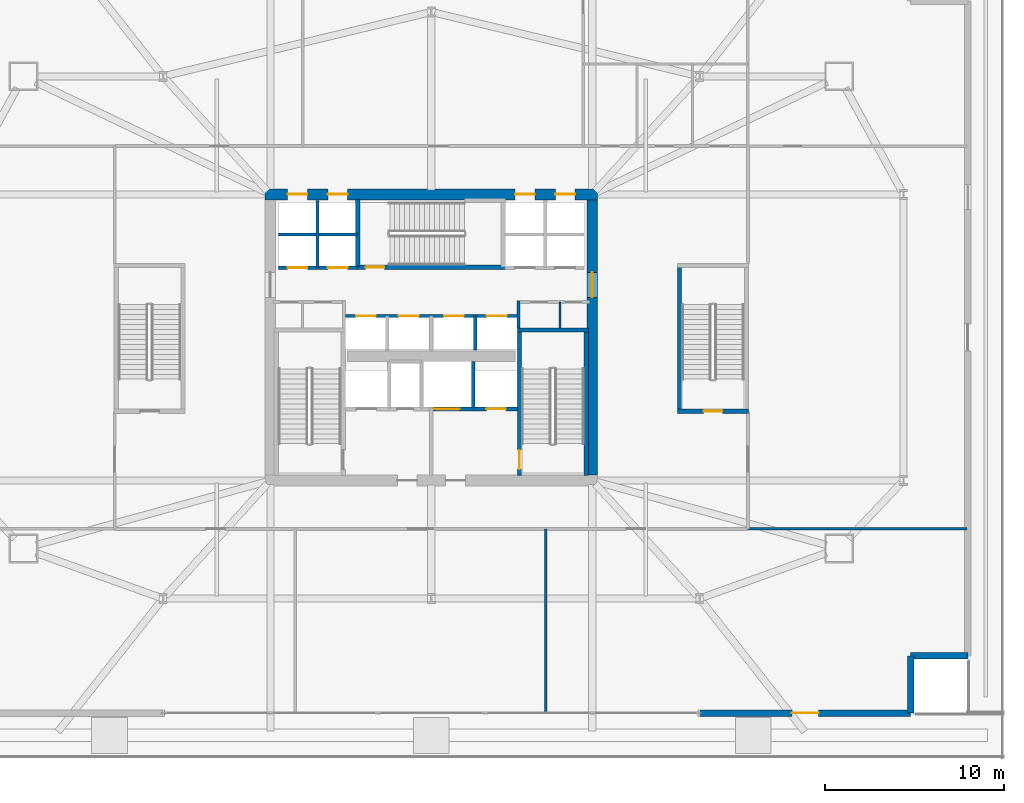
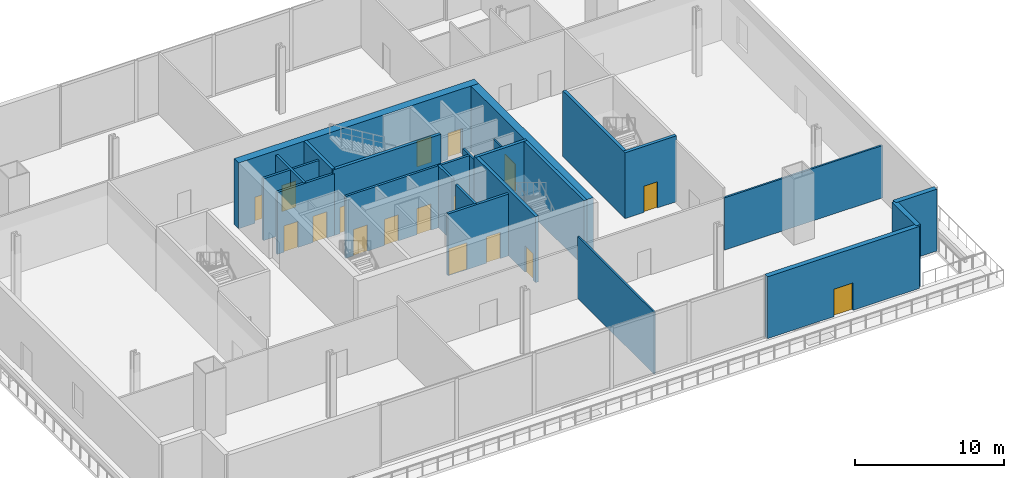
# One storey, part 11 of 20: 23 walls, 17 doors, 17 openings.
"""IFC4 building model written with IfcOpenShell, lengths in metres."""

import ifcopenshell
import ifcopenshell.guid

model = None  # the IFC model being written
_history = None  # IfcOwnerHistory: only IFC2X3 demands one
_inside = {}  # id of a spatial element -> (the spatial element, [elements in it])
_under = {}  # id of a project, library or spatial element -> (it, [spatial elements below it])
_declared = {}  # id of a project -> (the project, [libraries it declares])
_typed = {}  # id of a type object -> (the type object, [elements of that type])
_made_of = {}  # id of a material, layer set ... -> (it, [elements and type objects made of it])


def new_model(schema):
    """Start an empty IFC model of exactly this schema.

    Asked for "IFC4X3", IfcOpenShell would pick the latest addendum, in which some entities
    have other attributes; the version numbers below select the first issue.
    IFC2X3 requires an IfcOwnerHistory on every rooted entity: one is made here for all.
    """
    global model, _history
    if schema == "IFC4X3":
        model = ifcopenshell.file(schema_version=(4, 3, 0, 0))
    else:
        model = ifcopenshell.file(schema=schema)
    _inside.clear()
    _under.clear()
    _declared.clear()
    _typed.clear()
    _made_of.clear()
    _history = None
    if model.schema == "IFC2X3":
        org = make("IfcOrganization", Name="unknown")
        user = make(
            "IfcPersonAndOrganization",
            ThePerson=make("IfcPerson", FamilyName="unknown"),
            TheOrganization=org,
        )
        app = make(
            "IfcApplication",
            ApplicationDeveloper=org,
            Version="unknown",
            ApplicationFullName="unknown",
            ApplicationIdentifier="unknown",
        )
        _history = make(
            "IfcOwnerHistory",
            OwningUser=user,
            OwningApplication=app,
            ChangeAction="ADDED",
            CreationDate=0,
        )
    return model


def make(cls, **values):
    """One entity of the class cls with the attributes given. An attribute that is None is left unset."""
    return model.create_entity(
        cls, **{name: value for name, value in values.items() if value is not None}
    )


def rooted(cls, **values):
    """An entity with a GlobalId (a new one), such as an element, a storey or a relation."""
    return make(cls, GlobalId=ifcopenshell.guid.new(), OwnerHistory=_history, **values)


def si_unit(unit_type, name, prefix=None):
    """IfcSIUnit, for example si_unit("LENGTHUNIT", "METRE", prefix="MILLI")."""
    return make("IfcSIUnit", UnitType=unit_type, Prefix=prefix, Name=name)


def assignment(units):
    """IfcUnitAssignment: the units of a project."""
    return None if units is None else make("IfcUnitAssignment", Units=units)


def point(xyz):
    """IfcCartesianPoint."""
    return None if xyz is None else make("IfcCartesianPoint", Coordinates=xyz)


def direction(xyz):
    """IfcDirection."""
    return None if xyz is None else make("IfcDirection", DirectionRatios=xyz)


def frame(location, z_axis=None, x_axis=None):
    """IfcAxis2Placement3D, a coordinate frame: its origin and axes. An axis left out is left unset."""
    return make(
        "IfcAxis2Placement3D",
        Location=point(location),
        Axis=direction(z_axis),
        RefDirection=direction(x_axis),
    )


def frame_2d(location, x_axis=None):
    """IfcAxis2Placement2D, a coordinate frame in the plane: its origin and x axis."""
    return make(
        "IfcAxis2Placement2D", Location=point(location), RefDirection=direction(x_axis)
    )


def origin():
    """The frame at (0, 0, 0) with its axes left unset."""
    return frame((0.0, 0.0, 0.0))


def place(relative_to, where):
    """IfcLocalPlacement: puts the frame where relative to a parent placement (None: the world)."""
    return make(
        "IfcLocalPlacement", PlacementRelTo=relative_to, RelativePlacement=where
    )


def context(
    kind, dimensions, precision=None, world=None, true_north=None, identifier=None
):
    """IfcGeometricRepresentationContext, for example the 3D "Model" context."""
    return make(
        "IfcGeometricRepresentationContext",
        ContextIdentifier=identifier,
        ContextType=kind,
        CoordinateSpaceDimension=dimensions,
        Precision=precision,
        WorldCoordinateSystem=world,
        TrueNorth=true_north,
    )


def subcontext(parent, identifier, kind, view, scale=None):
    """IfcGeometricRepresentationSubContext, for example "Body" below "Model"."""
    return make(
        "IfcGeometricRepresentationSubContext",
        ContextIdentifier=identifier,
        ContextType=kind,
        ParentContext=parent,
        TargetScale=scale,
        TargetView=view,
    )


def project(units=None, contexts=None):
    """IfcProject with its units and contexts."""
    return rooted(
        "IfcProject",
        Name="project",
        RepresentationContexts=contexts,
        UnitsInContext=assignment(units),
    )


def spatial(cls, under=None, at=None, **own):
    """A site, building, storey or space (cls), placed at a placement, below another one or the project."""
    s = rooted(cls, ObjectPlacement=at, **own)
    if under is not None:
        _under.setdefault(under.id(), (under, []))[1].append(s)
    return s


def profile(cls, at=None, kind="AREA", **sizes):
    """A parametric profile (cls). Its sizes go by their IFC names, for example OverallWidth=200.0."""
    return make(cls, ProfileType=kind, Position=at, **sizes)


def rectangle(**sizes):
    """IfcRectangleProfileDef."""
    return profile("IfcRectangleProfileDef", **sizes)


def extrude(swept, where, along, depth):
    """IfcExtrudedAreaSolid: the profile swept, set in the frame where, extruded along a direction by depth."""
    return make(
        "IfcExtrudedAreaSolid",
        SweptArea=swept,
        Position=where,
        ExtrudedDirection=direction(along),
        Depth=depth,
    )


def shape(context_of_items, identifier, shape_type, items):
    """IfcShapeRepresentation: the items that make up one representation, for example the "Body"."""
    return make(
        "IfcShapeRepresentation",
        ContextOfItems=context_of_items,
        RepresentationIdentifier=identifier,
        RepresentationType=shape_type,
        Items=items,
    )


def material(Name=None, Category=None):
    """IfcMaterial."""
    return make("IfcMaterial", Name=Name, Category=Category)


def layer(
    of_material, thickness, ventilated=None, Name=None, Category=None, Priority=None
):
    """IfcMaterialLayer: one layer of a wall or slab, of a material (None: an air gap)."""
    return make(
        "IfcMaterialLayer",
        Material=of_material,
        LayerThickness=thickness,
        IsVentilated=ventilated,
        Name=Name,
        Category=Category,
        Priority=Priority,
    )


def layer_set(layers, Name=None):
    """IfcMaterialLayerSet."""
    return make("IfcMaterialLayerSet", MaterialLayers=layers, LayerSetName=Name)


def made_of(thing, what):
    """Note that an element or type object is made of a material, layer set ...; save() writes the relation."""
    if what is not None:
        _made_of.setdefault(what.id(), (what, []))[1].append(thing)
    return thing


def type_object(cls, material=None, **own):
    """A type object (cls), such as IfcWallType, which elements share."""
    return made_of(rooted(cls, **own), material)


def element(
    cls,
    number,
    at=None,
    inside=None,
    cuts=None,
    type_object=None,
    material=None,
    context=None,
    identifier="Body",
    shape_type=None,
    held_by="IfcProductDefinitionShape",
    body=None,
    shapes=None,
    **own,
):
    """One element of the class cls, such as IfcWall. Its Tag is "e" and its number.

    at: its placement. inside: the storey or other place that contains it. cuts: it is an
    opening in that element (IfcRelVoidsElement). A single representation is given by context,
    identifier, shape_type and body (its items); several are given by shapes. held_by: the class
    of the entity that holds the representations. save() writes the other relations.
    """
    e = rooted(cls, Tag="e%d" % number, ObjectPlacement=at, **own)
    if body is not None:
        shapes = [shape(context, identifier, shape_type, body)]
    if shapes is not None:
        e.Representation = make(held_by, Representations=shapes)
    if inside is not None:
        _inside.setdefault(inside.id(), (inside, []))[1].append(e)
    if cuts is not None:
        rooted(
            "IfcRelVoidsElement", RelatingBuildingElement=cuts, RelatedOpeningElement=e
        )
    if type_object is not None:
        _typed.setdefault(type_object.id(), (type_object, []))[1].append(e)
    return made_of(e, material)


def fill(opening, filler):
    """IfcRelFillsElement: the door or window that sits in an opening."""
    return rooted(
        "IfcRelFillsElement",
        RelatingOpeningElement=opening,
        RelatedBuildingElement=filler,
    )


def aggregate(whole, parts):
    """IfcRelAggregates: a whole, such as a stair, and the parts it consists of."""
    return rooted("IfcRelAggregates", RelatingObject=whole, RelatedObjects=parts)


def save(model, path):
    """Write the relations noted so far, then the file.

    IfcRelAggregates (storeys below a building ...), IfcRelContainedInSpatialStructure (elements
    in a storey), IfcRelDefinesByType, IfcRelAssociatesMaterial and IfcRelDeclares: one each for
    every whole, place, type object, material and project.
    """
    for whole, parts in _under.values():
        aggregate(whole, parts)
    for where, things in _inside.values():
        rooted(
            "IfcRelContainedInSpatialStructure",
            RelatedElements=things,
            RelatingStructure=where,
        )
    for kind, things in _typed.values():
        rooted("IfcRelDefinesByType", RelatedObjects=things, RelatingType=kind)
    for what, things in _made_of.values():
        rooted("IfcRelAssociatesMaterial", RelatedObjects=things, RelatingMaterial=what)
    for by, libraries in _declared.values():
        rooted("IfcRelDeclares", RelatingContext=by, RelatedDefinitions=libraries)
    model.write(path)


model = new_model("IFC4")

# Units and contexts
model_context = context("Model", 3, precision=1e-05, world=origin(), true_north=direction((0.0, 1.0)))
body_context = subcontext(model_context, "Body", "Model", "MODEL_VIEW")
ifc_project = project(units=[si_unit("LENGTHUNIT", "METRE"), si_unit("AREAUNIT", "SQUARE_METRE"), si_unit("VOLUMEUNIT", "CUBIC_METRE"), si_unit("PLANEANGLEUNIT", "RADIAN"), si_unit("MASSUNIT", "GRAM", prefix="KILO")], contexts=[model_context])

# Site, building, storey
site_placement = place(None, origin())
site = spatial("IfcSite", under=ifc_project, at=site_placement, CompositionType="ELEMENT")
building_placement = place(site_placement, origin())
building = spatial("IfcBuilding", under=site, at=building_placement, Name="Haldenkirk Collegiate Tower", CompositionType="ELEMENT")
storey_placement = place(building_placement, frame((0.0, 0.0, 6.0)))
storey = spatial("IfcBuildingStorey", under=building, at=storey_placement, Name="L01", CompositionType="ELEMENT", Elevation=6.0)

# Wall, openings, doors
ifc_material_1 = material(Name="Concrete f'c 70 MPa", Category="concrete")
ifc_layer_1 = layer(ifc_material_1, 0.60009765625)
ifc_layer_set_1 = layer_set([ifc_layer_1], Name="Concrete f'c 70 MPa")
wall_type_1 = type_object("IfcWallType", Name="WL-CORE-600", PredefinedType="SHEAR", material=ifc_layer_set_1)
wall_1_placement = place(storey_placement, frame((26.699951171875, 34.0, 0.0), z_axis=(0.0, 0.0, 1.0), x_axis=(1.0, 0.0, 0.0)))
wall_1 = element("IfcWall", 1, at=wall_1_placement, inside=storey, type_object=wall_type_1, Name="L01 central core shear wall N", PredefinedType="SHEAR", context=body_context, shape_type="SweptSolid", body=[
    extrude(rectangle(XDim=18.60009765625, YDim=0.60009765625, at=frame_2d((9.300048828125, 0.0))), origin(), (0.0, 0.0, 1.0), 5.39990234375),
])
opening_1_placement = place(wall_1_placement, frame((1.264892578125, 0.0, 0.0)))
opening_1 = element("IfcOpeningElement", 2, at=opening_1_placement, cuts=wall_1, Name="Opening LD-11", PredefinedType="OPENING", context=body_context, shape_type="SweptSolid", body=[
    extrude(rectangle(XDim=1.10009765625, YDim=2.14990234375, at=frame_2d((0.550048828125, 1.074951171875))), frame((0.0, 0.31005859375, 0.0), z_axis=(0.0, -1.0, 0.0), x_axis=(1.0, 0.0, 0.0)), (0.0, 0.0, 1.0), 0.6201171875),
])
opening_2_placement = place(wall_1_placement, frame((3.514892578125, 0.0, 0.0)))
opening_2 = element("IfcOpeningElement", 3, at=opening_2_placement, cuts=wall_1, Name="Opening LD-11", PredefinedType="OPENING", context=body_context, shape_type="SweptSolid", body=[
    extrude(rectangle(XDim=1.10009765625, YDim=2.14990234375, at=frame_2d((0.550048828125, 1.074951171875))), frame((0.0, 0.31005859375, 0.0), z_axis=(0.0, -1.0, 0.0), x_axis=(1.0, 0.0, 0.0)), (0.0, 0.0, 1.0), 0.6201171875),
])
opening_3_placement = place(wall_1_placement, frame((13.985107421875, 0.0, 0.0)))
opening_3 = element("IfcOpeningElement", 4, at=opening_3_placement, cuts=wall_1, Name="Opening LD-11", PredefinedType="OPENING", context=body_context, shape_type="SweptSolid", body=[
    extrude(rectangle(XDim=1.10009765625, YDim=2.14990234375, at=frame_2d((0.550048828125, 1.074951171875))), frame((0.0, 0.31005859375, 0.0), z_axis=(0.0, -1.0, 0.0), x_axis=(1.0, 0.0, 0.0)), (0.0, 0.0, 1.0), 0.6201171875),
])
opening_4_placement = place(wall_1_placement, frame((16.235107421875, 0.0, 0.0)))
opening_4 = element("IfcOpeningElement", 5, at=opening_4_placement, cuts=wall_1, Name="Opening LD-11", PredefinedType="OPENING", context=body_context, shape_type="SweptSolid", body=[
    extrude(rectangle(XDim=1.10009765625, YDim=2.14990234375, at=frame_2d((0.550048828125, 1.074951171875))), frame((0.0, 0.31005859375, 0.0), z_axis=(0.0, -1.0, 0.0), x_axis=(1.0, 0.0, 0.0)), (0.0, 0.0, 1.0), 0.6201171875),
])
ifc_material_2 = material(Name="Brushed architectural stainless steel", Category="steel")
ifc_layer_2 = layer(ifc_material_2, 0.06005859375)
ifc_layer_set_2 = layer_set([ifc_layer_2], Name="Brushed architectural stainless steel")
door_type_1 = type_object("IfcDoorType", Name="LD-PASS-1100", OperationType="NOTDEFINED", PredefinedType="DOOR", material=ifc_layer_set_2)
door_1_placement = place(opening_1_placement, origin())
door_1 = element("IfcDoor", 6, at=door_1_placement, inside=storey, type_object=door_type_1, Name="L01 Elevator PL3 sliding landing door", OperationType="SLIDING_TO_LEFT", OverallHeight=2.14990234375, OverallWidth=1.10009765625, PredefinedType="DOOR", context=body_context, shape_type="SweptSolid", body=[
    extrude(rectangle(XDim=1.10009765625, YDim=2.14990234375, at=frame_2d((0.550048828125, 1.074951171875))), frame((0.0, 0.02490234375, 0.0), z_axis=(0.0, -1.0, 0.0), x_axis=(1.0, 0.0, 0.0)), (0.0, 0.0, 1.0), 0.050048828125),
])
fill(opening_1, door_1)
door_2_placement = place(opening_2_placement, origin())
door_2 = element("IfcDoor", 7, at=door_2_placement, inside=storey, type_object=door_type_1, Name="L01 Elevator PL4 sliding landing door", OperationType="SLIDING_TO_LEFT", OverallHeight=2.14990234375, OverallWidth=1.10009765625, PredefinedType="DOOR", context=body_context, shape_type="SweptSolid", body=[
    extrude(rectangle(XDim=1.10009765625, YDim=2.14990234375, at=frame_2d((0.550048828125, 1.074951171875))), frame((0.0, 0.02490234375, 0.0), z_axis=(0.0, -1.0, 0.0), x_axis=(1.0, 0.0, 0.0)), (0.0, 0.0, 1.0), 0.050048828125),
])
fill(opening_2, door_2)
door_3_placement = place(opening_3_placement, origin())
door_3 = element("IfcDoor", 8, at=door_3_placement, inside=storey, type_object=door_type_1, Name="L01 Elevator PM3 sliding landing door", OperationType="SLIDING_TO_LEFT", OverallHeight=2.14990234375, OverallWidth=1.10009765625, PredefinedType="DOOR", context=body_context, shape_type="SweptSolid", body=[
    extrude(rectangle(XDim=1.10009765625, YDim=2.14990234375, at=frame_2d((0.550048828125, 1.074951171875))), frame((0.0, 0.02490234375, 0.0), z_axis=(0.0, -1.0, 0.0), x_axis=(1.0, 0.0, 0.0)), (0.0, 0.0, 1.0), 0.050048828125),
])
fill(opening_3, door_3)
door_4_placement = place(opening_4_placement, origin())
door_4 = element("IfcDoor", 9, at=door_4_placement, inside=storey, type_object=door_type_1, Name="L01 Elevator PM4 sliding landing door", OperationType="SLIDING_TO_LEFT", OverallHeight=2.14990234375, OverallWidth=1.10009765625, PredefinedType="DOOR", context=body_context, shape_type="SweptSolid", body=[
    extrude(rectangle(XDim=1.10009765625, YDim=2.14990234375, at=frame_2d((0.550048828125, 1.074951171875))), frame((0.0, 0.02490234375, 0.0), z_axis=(0.0, -1.0, 0.0), x_axis=(1.0, 0.0, 0.0)), (0.0, 0.0, 1.0), 0.050048828125),
])
fill(opening_4, door_4)

# Wall, opening, door
wall_2_placement = place(storey_placement, frame((45.0, 18.300048828125, 0.0), z_axis=(0.0, 0.0, 1.0), x_axis=(0.0, 1.0, 0.0)))
wall_2 = element("IfcWall", 10, at=wall_2_placement, inside=storey, type_object=wall_type_1, Name="L01 central core shear wall E", PredefinedType="SHEAR", context=body_context, shape_type="SweptSolid", body=[
    extrude(rectangle(XDim=15.39990234375, YDim=0.60009765625, at=frame_2d((7.699951171875, 0.0))), origin(), (0.0, 0.0, 1.0), 5.39990234375),
])
opening_5_placement = place(wall_2_placement, frame((9.93994140625, 0.0, 0.0)))
opening_5 = element("IfcOpeningElement", 11, at=opening_5_placement, cuts=wall_2, Name="Opening D-03", PredefinedType="OPENING", context=body_context, shape_type="SweptSolid", body=[
    extrude(rectangle(XDim=1.39990234375, YDim=2.199951171875, at=frame_2d((0.699951171875, 1.10009765625))), frame((0.0, 0.31005859375, 0.0), z_axis=(0.0, -1.0, 0.0), x_axis=(1.0, 0.0, 0.0)), (0.0, 0.0, 1.0), 0.6201171875),
])
ifc_material_3 = material(Name="Galvanized fire-rated hollow steel door", Category="steel")
ifc_layer_3 = layer(ifc_material_3, 0.06005859375)
ifc_layer_set_3 = layer_set([ifc_layer_3], Name="Galvanized fire-rated hollow steel door")
door_type_2 = type_object("IfcDoorType", Name="DR-LOBBY-FD90-1400", OperationType="NOTDEFINED", PredefinedType="DOOR", material=ifc_layer_set_3)
door_5_placement = place(opening_5_placement, origin())
door_5 = element("IfcDoor", 12, at=door_5_placement, inside=storey, type_object=door_type_2, Name="L01 east lift lobby portal", OperationType="DOUBLE_DOOR_SINGLE_SWING", OverallHeight=2.199951171875, OverallWidth=1.39990234375, PredefinedType="DOOR", context=body_context, shape_type="SweptSolid", body=[
    extrude(rectangle(XDim=1.39990234375, YDim=2.199951171875, at=frame_2d((0.699951171875, 1.10009765625))), frame((0.0, 0.02490234375, 0.0), z_axis=(0.0, -1.0, 0.0), x_axis=(1.0, 0.0, 0.0)), (0.0, 0.0, 1.0), 0.050048828125),
])
fill(opening_5, door_5)

ifc_material_4 = material(Name="Precast concrete f'c 40 MPa", Category="concrete")
ifc_layer_4 = layer(ifc_material_4, 0.360107421875)
ifc_layer_set_4 = layer_set([ifc_layer_4], Name="Precast concrete f'c 40 MPa")
wall_type_2 = type_object("IfcWallType", Name="WL-EXT-POD-360", PredefinedType="STANDARD", material=ifc_layer_set_4)
wall_3_placement = place(storey_placement, frame((62.800048828125, 5.0, 0.0), z_axis=(0.0, 0.0, 1.0), x_axis=(-1.0, 0.0, 0.0)))
wall_3 = element("IfcWall", 13, at=wall_3_placement, inside=storey, type_object=wall_type_2, Name="L01 podium precast frame pier 1L", PredefinedType="STANDARD", context=body_context, shape_type="SweptSolid", body=[
    extrude(rectangle(XDim=11.7919921875, YDim=0.360107421875, at=frame_2d((5.89599609375, 0.0))), origin(), (0.0, 0.0, 1.0), 5.070068359375),
])
opening_6_placement = place(wall_3_placement, frame((5.14599609375, 0.0, 0.0)))
opening_6 = element("IfcOpeningElement", 14, at=opening_6_placement, cuts=wall_3, Name="Opening D-PT15", PredefinedType="OPENING", context=body_context, shape_type="SweptSolid", body=[
    extrude(rectangle(XDim=1.5, YDim=2.25, at=frame_2d((0.75, 1.125))), frame((0.0, 0.18994140625, 0.0), z_axis=(0.0, -1.0, 0.0), x_axis=(1.0, 0.0, 0.0)), (0.0, 0.0, 1.0), 0.380126953125),
])
ifc_material_5 = material(Name="Anodised architectural bronze aluminium", Category="aluminium")
ifc_layer_5 = layer(ifc_material_5, 0.080078125)
ifc_layer_set_5 = layer_set([ifc_layer_5], Name="Anodised architectural bronze aluminium")
door_type_3 = type_object("IfcDoorType", Name="DR-EXT-PTER-1500", OperationType="NOTDEFINED", PredefinedType="DOOR", material=ifc_layer_set_5)
door_6_placement = place(opening_6_placement, origin())
door_6 = element("IfcDoor", 15, at=door_6_placement, inside=storey, type_object=door_type_3, Name="L01 south cascade terrace door", OperationType="DOUBLE_DOOR_SINGLE_SWING", OverallHeight=2.25, OverallWidth=1.5, PredefinedType="DOOR", context=body_context, shape_type="SweptSolid", body=[
    extrude(rectangle(XDim=1.5, YDim=2.25, at=frame_2d((0.75, 1.125))), frame((0.0, 0.02490234375, 0.0), z_axis=(0.0, -1.0, 0.0), x_axis=(1.0, 0.0, 0.0)), (0.0, 0.0, 1.0), 0.050048828125),
])
fill(opening_6, door_6)

# Walls
for number, where, z_axis, x_axis, name in (
    (16, (62.800048828125, 8.199951171875, 0.0), (0.0, 0.0, 1.0), (0.0, -1.0, 0.0), "L01 podium bronze precast wall 02"),
    (17, (66.0, 8.199951171875, 0.0), (0.0, 0.0, 1.0), (-1.0, 0.0, 0.0), "L01 podium bronze precast wall 03"),
):
    element("IfcWall", number, at=place(storey_placement, frame(where, z_axis=z_axis, x_axis=x_axis)), inside=storey, type_object=wall_type_2, Name=name, PredefinedType="STANDARD", context=body_context, shape_type="SweptSolid", body=[
        extrude(rectangle(XDim=3.199951171875, YDim=0.360107421875, at=frame_2d((1.60009765625, 0.0))), origin(), (0.0, 0.0, 1.0), 5.070068359375),
    ])
ifc_material_6 = material(Name="Acoustic fire-rated gypsum partition", Category="concrete")
ifc_layer_6 = layer(ifc_material_6, 0.159912109375)
ifc_layer_set_6 = layer_set([ifc_layer_6], Name="Acoustic fire-rated gypsum partition")
wall_type_3 = type_object("IfcWallType", Name="WL-INT-CORR-160", PredefinedType="PARTITIONING", material=ifc_layer_set_6)
wall_4_placement = place(storey_placement, frame((40.8798828125, 26.5400390625, 0.0), z_axis=(0.0, 0.0, 1.0), x_axis=(0.0, 1.0, 0.0)))
element("IfcWall", 18, at=wall_4_placement, inside=storey, type_object=wall_type_3, Name="L01 interior partition IW-L01-VCSE-W", PredefinedType="PARTITIONING", context=body_context, shape_type="SweptSolid", body=[
    extrude(rectangle(XDim=1.510009765625, YDim=0.159912109375, at=frame_2d((0.7548828125, 0.0))), origin(), (0.0, 0.0, 1.0), 5.070068359375),
])
ifc_layer_7 = layer(ifc_material_6, 0.139892578125)
ifc_layer_set_7 = layer_set([ifc_layer_7], Name="Acoustic fire-rated gypsum partition")
wall_type_4 = type_object("IfcWallType", Name="WL-INT-DIV-140", PredefinedType="PARTITIONING", material=ifc_layer_set_7)
wall_5_placement = place(storey_placement, frame((53.699951171875, 15.300048828125, 0.0), z_axis=(0.0, 0.0, 1.0), x_axis=(1.0, 0.0, 0.0)))
element("IfcWall", 19, at=wall_5_placement, inside=storey, type_object=wall_type_4, Name="L01 interior partition IW-L01-ECS1", PredefinedType="PARTITIONING", context=body_context, shape_type="SweptSolid", body=[
    extrude(rectangle(XDim=12.260009765625, YDim=0.139892578125, at=frame_2d((6.1298828125, 0.0))), origin(), (0.0, 0.0, 1.0), 4.2919921875),
])
wall_6_placement = place(storey_placement, frame((42.39990234375, 5.0400390625, 0.0), z_axis=(0.0, 0.0, 1.0), x_axis=(0.0, 1.0, 0.0)))
element("IfcWall", 20, at=wall_6_placement, inside=storey, type_object=wall_type_4, Name="L01 interior partition IW-L01-SD2", PredefinedType="PARTITIONING", context=body_context, shape_type="SweptSolid", body=[
    extrude(rectangle(XDim=10.260009765625, YDim=0.139892578125, at=frame_2d((5.1298828125, 0.0))), origin(), (0.0, 0.0, 1.0), 5.070068359375),
])
ifc_material_7 = material(Name="Fire-rated gypsum shaftboard assembly", Category="concrete")
ifc_layer_8 = layer(ifc_material_7, 0.179931640625)
ifc_layer_set_8 = layer_set([ifc_layer_8], Name="Fire-rated gypsum shaftboard assembly")
wall_type_5 = type_object("IfcWallType", Name="WL-INT-SHAFT-180", PredefinedType="PARTITIONING", material=ifc_layer_set_8)
wall_7_placement = place(storey_placement, frame((38.35009765625, 22.050048828125, 0.0), z_axis=(0.0, 0.0, 1.0), x_axis=(0.0, 1.0, 0.0)))
element("IfcWall", 21, at=wall_7_placement, inside=storey, type_object=wall_type_5, Name="L01 interior partition IW-L01-GL1E", PredefinedType="PARTITIONING", context=body_context, shape_type="SweptSolid", body=[
    extrude(rectangle(XDim=2.599853515625, YDim=0.179931640625, at=frame_2d((1.2998046875, 0.0))), origin(), (0.0, 0.0, 1.0), 5.070068359375),
])

# Wall, openings, doors
wall_8_placement = place(storey_placement, frame((27.449951171875, 29.89990234375, 0.0), z_axis=(0.0, 0.0, 1.0), x_axis=(1.0, 0.0, 0.0)))
wall_8 = element("IfcWall", 22, at=wall_8_placement, inside=storey, type_object=wall_type_5, Name="L01 interior partition IW-L01-PLS", PredefinedType="PARTITIONING", context=body_context, shape_type="SweptSolid", body=[
    extrude(rectangle(XDim=4.429931640625, YDim=0.179931640625, at=frame_2d((2.21484375, 0.0))), origin(), (0.0, 0.0, 1.0), 5.070068359375),
])
opening_7_placement = place(wall_8_placement, frame((0.514892578125, 0.0, 0.0)))
opening_7 = element("IfcOpeningElement", 23, at=opening_7_placement, cuts=wall_8, Name="Opening LD-11", PredefinedType="OPENING", context=body_context, shape_type="SweptSolid", body=[
    extrude(rectangle(XDim=1.10009765625, YDim=2.14990234375, at=frame_2d((0.550048828125, 1.074951171875))), frame((0.0, 0.099853515625, 0.0), z_axis=(0.0, -1.0, 0.0), x_axis=(1.0, 0.0, 0.0)), (0.0, 0.0, 1.0), 0.199951171875),
])
opening_8_placement = place(wall_8_placement, frame((2.764892578125, 0.0, 0.0)))
opening_8 = element("IfcOpeningElement", 24, at=opening_8_placement, cuts=wall_8, Name="Opening LD-11", PredefinedType="OPENING", context=body_context, shape_type="SweptSolid", body=[
    extrude(rectangle(XDim=1.10009765625, YDim=2.14990234375, at=frame_2d((0.550048828125, 1.074951171875))), frame((0.0, 0.099853515625, 0.0), z_axis=(0.0, -1.0, 0.0), x_axis=(1.0, 0.0, 0.0)), (0.0, 0.0, 1.0), 0.199951171875),
])
door_7_placement = place(opening_7_placement, origin())
door_7 = element("IfcDoor", 25, at=door_7_placement, inside=storey, type_object=door_type_1, Name="L01 Elevator PL1 sliding landing door", OperationType="SLIDING_TO_LEFT", OverallHeight=2.14990234375, OverallWidth=1.10009765625, PredefinedType="DOOR", context=body_context, shape_type="SweptSolid", body=[
    extrude(rectangle(XDim=1.10009765625, YDim=2.14990234375, at=frame_2d((0.550048828125, 1.074951171875))), frame((0.0, 0.02490234375, 0.0), z_axis=(0.0, -1.0, 0.0), x_axis=(1.0, 0.0, 0.0)), (0.0, 0.0, 1.0), 0.050048828125),
])
fill(opening_7, door_7)
door_8_placement = place(opening_8_placement, origin())
door_8 = element("IfcDoor", 26, at=door_8_placement, inside=storey, type_object=door_type_1, Name="L01 Elevator PL2 sliding landing door", OperationType="SLIDING_TO_LEFT", OverallHeight=2.14990234375, OverallWidth=1.10009765625, PredefinedType="DOOR", context=body_context, shape_type="SweptSolid", body=[
    extrude(rectangle(XDim=1.10009765625, YDim=2.14990234375, at=frame_2d((0.550048828125, 1.074951171875))), frame((0.0, 0.02490234375, 0.0), z_axis=(0.0, -1.0, 0.0), x_axis=(1.0, 0.0, 0.0)), (0.0, 0.0, 1.0), 0.050048828125),
])
fill(opening_8, door_8)

# Walls
wall_9_placement = place(storey_placement, frame((27.449951171875, 31.75, 0.0), z_axis=(0.0, 0.0, 1.0), x_axis=(1.0, 0.0, 0.0)))
element("IfcWall", 27, at=wall_9_placement, inside=storey, type_object=wall_type_5, Name="L01 interior partition IW-L01-PLM", PredefinedType="PARTITIONING", context=body_context, shape_type="SweptSolid", body=[
    extrude(rectangle(XDim=4.429931640625, YDim=0.179931640625, at=frame_2d((2.21484375, 0.0))), origin(), (0.0, 0.0, 1.0), 5.070068359375),
])
wall_10_placement = place(storey_placement, frame((29.6298828125, 29.89990234375, 0.0), z_axis=(0.0, 0.0, 1.0), x_axis=(0.0, 1.0, 0.0)))
element("IfcWall", 28, at=wall_10_placement, inside=storey, type_object=wall_type_5, Name="L01 interior partition IW-L01-PLV", PredefinedType="PARTITIONING", context=body_context, shape_type="SweptSolid", body=[
    extrude(rectangle(XDim=3.75, YDim=0.179931640625, at=frame_2d((1.875, 0.0))), origin(), (0.0, 0.0, 1.0), 5.070068359375),
])

# Wall, openings, doors
wall_11_placement = place(storey_placement, frame((31.199951171875, 27.199951171875, 0.0), z_axis=(0.0, 0.0, 1.0), x_axis=(1.0, 0.0, 0.0)))
wall_11 = element("IfcWall", 29, at=wall_11_placement, inside=storey, type_object=wall_type_5, Name="L01 interior partition IW-L01-PHN", PredefinedType="PARTITIONING", context=body_context, shape_type="SweptSolid", body=[
    extrude(rectangle(XDim=9.60009765625, YDim=0.179931640625, at=frame_2d((4.800048828125, 0.0))), origin(), (0.0, 0.0, 1.0), 5.070068359375),
])
opening_9_placement = place(wall_11_placement, frame((0.590087890625, 0.0, 0.0)))
opening_9 = element("IfcOpeningElement", 30, at=opening_9_placement, cuts=wall_11, Name="Opening LD-11", PredefinedType="OPENING", context=body_context, shape_type="SweptSolid", body=[
    extrude(rectangle(XDim=1.10009765625, YDim=2.14990234375, at=frame_2d((0.550048828125, 1.074951171875))), frame((0.0, 0.099853515625, 0.0), z_axis=(0.0, -1.0, 0.0), x_axis=(1.0, 0.0, 0.0)), (0.0, 0.0, 1.0), 0.199951171875),
])
opening_10_placement = place(wall_11_placement, frame((2.989990234375, 0.0, 0.0)))
opening_10 = element("IfcOpeningElement", 31, at=opening_10_placement, cuts=wall_11, Name="Opening LD-11", PredefinedType="OPENING", context=body_context, shape_type="SweptSolid", body=[
    extrude(rectangle(XDim=1.10009765625, YDim=2.14990234375, at=frame_2d((0.550048828125, 1.074951171875))), frame((0.0, 0.099853515625, 0.0), z_axis=(0.0, -1.0, 0.0), x_axis=(1.0, 0.0, 0.0)), (0.0, 0.0, 1.0), 0.199951171875),
])
opening_11_placement = place(wall_11_placement, frame((5.510009765625, 0.0, 0.0)))
opening_11 = element("IfcOpeningElement", 32, at=opening_11_placement, cuts=wall_11, Name="Opening LD-11", PredefinedType="OPENING", context=body_context, shape_type="SweptSolid", body=[
    extrude(rectangle(XDim=1.10009765625, YDim=2.14990234375, at=frame_2d((0.550048828125, 1.074951171875))), frame((0.0, 0.099853515625, 0.0), z_axis=(0.0, -1.0, 0.0), x_axis=(1.0, 0.0, 0.0)), (0.0, 0.0, 1.0), 0.199951171875),
])
opening_12_placement = place(wall_11_placement, frame((7.909912109375, 0.0, 0.0)))
opening_12 = element("IfcOpeningElement", 33, at=opening_12_placement, cuts=wall_11, Name="Opening LD-11", PredefinedType="OPENING", context=body_context, shape_type="SweptSolid", body=[
    extrude(rectangle(XDim=1.10009765625, YDim=2.14990234375, at=frame_2d((0.550048828125, 1.074951171875))), frame((0.0, 0.099853515625, 0.0), z_axis=(0.0, -1.0, 0.0), x_axis=(1.0, 0.0, 0.0)), (0.0, 0.0, 1.0), 0.199951171875),
])
door_9_placement = place(opening_9_placement, origin())
door_9 = element("IfcDoor", 34, at=door_9_placement, inside=storey, type_object=door_type_1, Name="L01 Elevator PH1 sliding landing door", OperationType="SLIDING_TO_LEFT", OverallHeight=2.14990234375, OverallWidth=1.10009765625, PredefinedType="DOOR", context=body_context, shape_type="SweptSolid", body=[
    extrude(rectangle(XDim=1.10009765625, YDim=2.14990234375, at=frame_2d((0.550048828125, 1.074951171875))), frame((0.0, 0.02490234375, 0.0), z_axis=(0.0, -1.0, 0.0), x_axis=(1.0, 0.0, 0.0)), (0.0, 0.0, 1.0), 0.050048828125),
])
fill(opening_9, door_9)
door_10_placement = place(opening_10_placement, origin())
door_10 = element("IfcDoor", 35, at=door_10_placement, inside=storey, type_object=door_type_1, Name="L01 Elevator PH2 sliding landing door", OperationType="SLIDING_TO_LEFT", OverallHeight=2.14990234375, OverallWidth=1.10009765625, PredefinedType="DOOR", context=body_context, shape_type="SweptSolid", body=[
    extrude(rectangle(XDim=1.10009765625, YDim=2.14990234375, at=frame_2d((0.550048828125, 1.074951171875))), frame((0.0, 0.02490234375, 0.0), z_axis=(0.0, -1.0, 0.0), x_axis=(1.0, 0.0, 0.0)), (0.0, 0.0, 1.0), 0.050048828125),
])
fill(opening_10, door_10)
door_11_placement = place(opening_11_placement, origin())
door_11 = element("IfcDoor", 36, at=door_11_placement, inside=storey, type_object=door_type_1, Name="L01 Elevator PH3 sliding landing door", OperationType="SLIDING_TO_LEFT", OverallHeight=2.14990234375, OverallWidth=1.10009765625, PredefinedType="DOOR", context=body_context, shape_type="SweptSolid", body=[
    extrude(rectangle(XDim=1.10009765625, YDim=2.14990234375, at=frame_2d((0.550048828125, 1.074951171875))), frame((0.0, 0.02490234375, 0.0), z_axis=(0.0, -1.0, 0.0), x_axis=(1.0, 0.0, 0.0)), (0.0, 0.0, 1.0), 0.050048828125),
])
fill(opening_11, door_11)
door_12_placement = place(opening_12_placement, origin())
door_12 = element("IfcDoor", 37, at=door_12_placement, inside=storey, type_object=door_type_1, Name="L01 Elevator PH4 sliding landing door", OperationType="SLIDING_TO_LEFT", OverallHeight=2.14990234375, OverallWidth=1.10009765625, PredefinedType="DOOR", context=body_context, shape_type="SweptSolid", body=[
    extrude(rectangle(XDim=1.10009765625, YDim=2.14990234375, at=frame_2d((0.550048828125, 1.074951171875))), frame((0.0, 0.02490234375, 0.0), z_axis=(0.0, -1.0, 0.0), x_axis=(1.0, 0.0, 0.0)), (0.0, 0.0, 1.0), 0.050048828125),
])
fill(opening_12, door_12)

# Wall
wall_12_placement = place(storey_placement, frame((38.4599609375, 25.300048828125, 0.0), z_axis=(0.0, 0.0, 1.0), x_axis=(0.0, 1.0, 0.0)))
element("IfcWall", 38, at=wall_12_placement, inside=storey, type_object=wall_type_5, Name="L01 interior partition IW-L01-PHV3", PredefinedType="PARTITIONING", context=body_context, shape_type="SweptSolid", body=[
    extrude(rectangle(XDim=1.89990234375, YDim=0.179931640625, at=frame_2d((0.949951171875, 0.0))), origin(), (0.0, 0.0, 1.0), 5.070068359375),
])

# Wall, openings, doors
ifc_layer_9 = layer(ifc_material_7, 0.199951171875)
ifc_layer_set_9 = layer_set([ifc_layer_9], Name="Fire-rated gypsum shaftboard assembly")
wall_type_6 = type_object("IfcWallType", Name="WL-INT-SHAFT-200", PredefinedType="PARTITIONING", material=ifc_layer_set_9)
wall_13_placement = place(storey_placement, frame((36.1201171875, 22.0, 0.0), z_axis=(0.0, 0.0, 1.0), x_axis=(1.0, 0.0, 0.0)))
wall_13 = element("IfcWall", 39, at=wall_13_placement, inside=storey, type_object=wall_type_6, Name="L01 interior partition IW-L01-FFL2N", PredefinedType="PARTITIONING", context=body_context, shape_type="SweptSolid", body=[
    extrude(rectangle(XDim=4.68994140625, YDim=0.199951171875, at=frame_2d((2.344970703125, 0.0))), origin(), (0.0, 0.0, 1.0), 5.070068359375),
])
opening_13_placement = place(wall_13_placement, frame((2.955078125, 0.0, 0.0)))
opening_13 = element("IfcOpeningElement", 40, at=opening_13_placement, cuts=wall_13, Name="Opening LD-12", PredefinedType="OPENING", context=body_context, shape_type="SweptSolid", body=[
    extrude(rectangle(XDim=1.10009765625, YDim=2.14990234375, at=frame_2d((0.550048828125, 1.074951171875))), frame((0.0, 0.10986328125, 0.0), z_axis=(0.0, -1.0, 0.0), x_axis=(1.0, 0.0, 0.0)), (0.0, 0.0, 1.0), 0.219970703125),
])
opening_14_placement = place(wall_13_placement, frame((0.080078125, 0.0, 0.0)))
opening_14 = element("IfcOpeningElement", 41, at=opening_14_placement, cuts=wall_13, Name="Opening LD-13", PredefinedType="OPENING", context=body_context, shape_type="SweptSolid", body=[
    extrude(rectangle(XDim=1.39990234375, YDim=2.199951171875, at=frame_2d((0.699951171875, 1.10009765625))), frame((0.0, 0.10986328125, 0.0), z_axis=(0.0, -1.0, 0.0), x_axis=(1.0, 0.0, 0.0)), (0.0, 0.0, 1.0), 0.219970703125),
])
ifc_layer_10 = layer(ifc_material_2, 0.06005859375)
ifc_layer_set_10 = layer_set([ifc_layer_10], Name="Brushed architectural stainless steel")
door_type_4 = type_object("IfcDoorType", Name="LD-FIRE-1100", OperationType="NOTDEFINED", PredefinedType="DOOR", material=ifc_layer_set_10)
door_13_placement = place(opening_13_placement, origin())
door_13 = element("IfcDoor", 42, at=door_13_placement, inside=storey, type_object=door_type_4, Name="L01 Elevator FL2 sliding landing door", OperationType="SLIDING_TO_LEFT", OverallHeight=2.14990234375, OverallWidth=1.10009765625, PredefinedType="DOOR", context=body_context, shape_type="SweptSolid", body=[
    extrude(rectangle(XDim=1.10009765625, YDim=2.14990234375, at=frame_2d((0.550048828125, 1.074951171875))), frame((0.0, 0.02490234375, 0.0), z_axis=(0.0, -1.0, 0.0), x_axis=(1.0, 0.0, 0.0)), (0.0, 0.0, 1.0), 0.050048828125),
])
fill(opening_13, door_13)
ifc_layer_11 = layer(ifc_material_2, 0.06005859375)
ifc_layer_set_11 = layer_set([ifc_layer_11], Name="Brushed architectural stainless steel")
door_type_5 = type_object("IfcDoorType", Name="LD-GOODS-1400", OperationType="NOTDEFINED", PredefinedType="DOOR", material=ifc_layer_set_11)
door_14_placement = place(opening_14_placement, origin())
door_14 = element("IfcDoor", 43, at=door_14_placement, inside=storey, type_object=door_type_5, Name="L01 Elevator GL1 sliding landing door", OperationType="SLIDING_TO_LEFT", OverallHeight=2.199951171875, OverallWidth=1.39990234375, PredefinedType="DOOR", context=body_context, shape_type="SweptSolid", body=[
    extrude(rectangle(XDim=1.39990234375, YDim=2.199951171875, at=frame_2d((0.699951171875, 1.10009765625))), frame((0.0, 0.02490234375, 0.0), z_axis=(0.0, -1.0, 0.0), x_axis=(1.0, 0.0, 0.0)), (0.0, 0.0, 1.0), 0.050048828125),
])
fill(opening_14, door_14)

# Wall
ifc_layer_12 = layer(ifc_material_6, 0.1201171875)
ifc_layer_set_12 = layer_set([ifc_layer_12], Name="Acoustic fire-rated gypsum partition")
wall_type_7 = type_object("IfcWallType", Name="WL-INT-WET-120", PredefinedType="PARTITIONING", material=ifc_layer_set_12)
wall_14_placement = place(storey_placement, frame((43.199951171875, 26.5400390625, 0.0), z_axis=(0.0, 0.0, 1.0), x_axis=(0.0, 1.0, 0.0)))
element("IfcWall", 44, at=wall_14_placement, inside=storey, type_object=wall_type_7, Name="L01 interior partition IW-L01-VCSE-M", PredefinedType="PARTITIONING", context=body_context, shape_type="SweptSolid", body=[
    extrude(rectangle(XDim=1.43994140625, YDim=0.1201171875, at=frame_2d((0.719970703125, 0.0))), origin(), (0.0, 0.0, 1.0), 5.070068359375),
])

# Wall, opening, door
ifc_material_8 = material(Name="Concrete f'c 55 MPa", Category="concrete")
ifc_layer_13 = layer(ifc_material_8, 0.239990234375)
ifc_layer_set_13 = layer_set([ifc_layer_13], Name="Concrete f'c 55 MPa")
wall_type_8 = type_object("IfcWallType", Name="WL-SHAFT-240", PredefinedType="SHEAR", material=ifc_layer_set_13)
wall_15_placement = place(storey_placement, frame((40.929931640625, 18.280029296875, 0.0), z_axis=(0.0, 0.0, 1.0), x_axis=(0.0, 1.0, 0.0)))
wall_15 = element("IfcWall", 45, at=wall_15_placement, inside=storey, type_object=wall_type_8, Name="L01 stair shaft shear wall SW-L01-ST2W", PredefinedType="SHEAR", context=body_context, shape_type="SweptSolid", body=[
    extrude(rectangle(XDim=8.260009765625, YDim=0.239990234375, at=frame_2d((4.1298828125, 0.0))), origin(), (0.0, 0.0, 1.0), 5.39990234375),
])
opening_15_placement = place(wall_15_placement, frame((0.364990234375, 0.0, 0.0)))
opening_15 = element("IfcOpeningElement", 46, at=opening_15_placement, cuts=wall_15, Name="Opening D-01", PredefinedType="OPENING", context=body_context, shape_type="SweptSolid", body=[
    extrude(rectangle(XDim=1.050048828125, YDim=2.14990234375, at=frame_2d((0.52490234375, 1.074951171875))), frame((0.0, 0.1298828125, 0.0), z_axis=(0.0, -1.0, 0.0), x_axis=(1.0, 0.0, 0.0)), (0.0, 0.0, 1.0), 0.260009765625),
])
ifc_layer_14 = layer(ifc_material_3, 0.06005859375)
ifc_layer_set_14 = layer_set([ifc_layer_14], Name="Galvanized fire-rated hollow steel door")
door_type_6 = type_object("IfcDoorType", Name="DR-STAIR-FD90-1050", OperationType="NOTDEFINED", PredefinedType="DOOR", material=ifc_layer_set_14)
door_15_placement = place(opening_15_placement, origin())
door_15 = element("IfcDoor", 47, at=door_15_placement, inside=storey, type_object=door_type_6, Name="L01 Stair 2 door", OperationType="SINGLE_SWING_RIGHT", OverallHeight=2.14990234375, OverallWidth=1.050048828125, PredefinedType="DOOR", context=body_context, shape_type="SweptSolid", body=[
    extrude(rectangle(XDim=1.050048828125, YDim=2.14990234375, at=frame_2d((0.52490234375, 1.074951171875))), frame((0.0, 0.02490234375, 0.0), z_axis=(0.0, -1.0, 0.0), x_axis=(1.0, 0.0, 0.0)), (0.0, 0.0, 1.0), 0.050048828125),
])
fill(opening_15, door_15)

# Walls
wall_16_placement = place(storey_placement, frame((40.81005859375, 26.419921875, 0.0), z_axis=(0.0, 0.0, 1.0), x_axis=(1.0, 0.0, 0.0)))
element("IfcWall", 48, at=wall_16_placement, inside=storey, type_object=wall_type_8, Name="L01 stair shaft shear wall SW-L01-ST2N", PredefinedType="SHEAR", context=body_context, shape_type="SweptSolid", body=[
    extrude(rectangle(XDim=3.97998046875, YDim=0.239990234375, at=frame_2d((1.989990234375, 0.0))), origin(), (0.0, 0.0, 1.0), 5.39990234375),
])
wall_17_placement = place(storey_placement, frame((44.669921875, 18.280029296875, 0.0), z_axis=(0.0, 0.0, 1.0), x_axis=(0.0, 1.0, 0.0)))
element("IfcWall", 49, at=wall_17_placement, inside=storey, type_object=wall_type_8, Name="L01 stair shaft shear wall SW-L01-ST2E", PredefinedType="SHEAR", context=body_context, shape_type="SweptSolid", body=[
    extrude(rectangle(XDim=8.260009765625, YDim=0.239990234375, at=frame_2d((4.1298828125, 0.0))), origin(), (0.0, 0.0, 1.0), 5.39990234375),
])

# Wall, opening, door
wall_18_placement = place(storey_placement, frame((31.760009765625, 29.929931640625, 0.0), z_axis=(0.0, 0.0, 1.0), x_axis=(1.0, 0.0, 0.0)))
wall_18 = element("IfcWall", 50, at=wall_18_placement, inside=storey, type_object=wall_type_8, Name="L01 stair shaft shear wall SW-L01-ST3S", PredefinedType="SHEAR", context=body_context, shape_type="SweptSolid", body=[
    extrude(rectangle(XDim=8.3798828125, YDim=0.239990234375, at=frame_2d((4.18994140625, 0.0))), origin(), (0.0, 0.0, 1.0), 5.39990234375),
])
opening_16_placement = place(wall_18_placement, frame((0.56494140625, 0.0, 0.0)))
opening_16 = element("IfcOpeningElement", 51, at=opening_16_placement, cuts=wall_18, Name="Opening D-01", PredefinedType="OPENING", context=body_context, shape_type="SweptSolid", body=[
    extrude(rectangle(XDim=1.050048828125, YDim=2.14990234375, at=frame_2d((0.52490234375, 1.074951171875))), frame((0.0, 0.1298828125, 0.0), z_axis=(0.0, -1.0, 0.0), x_axis=(1.0, 0.0, 0.0)), (0.0, 0.0, 1.0), 0.260009765625),
])
door_16_placement = place(opening_16_placement, origin())
door_16 = element("IfcDoor", 52, at=door_16_placement, inside=storey, type_object=door_type_6, Name="L01 lift lobby Stair 3 door", OperationType="SINGLE_SWING_LEFT", OverallHeight=2.14990234375, OverallWidth=1.050048828125, PredefinedType="DOOR", context=body_context, shape_type="SweptSolid", body=[
    extrude(rectangle(XDim=1.050048828125, YDim=2.14990234375, at=frame_2d((0.52490234375, 1.074951171875))), frame((0.0, 0.02490234375, 0.0), z_axis=(0.0, -1.0, 0.0), x_axis=(1.0, 0.0, 0.0)), (0.0, 0.0, 1.0), 0.050048828125),
])
fill(opening_16, door_16)

# Walls
wall_19_placement = place(storey_placement, frame((31.8798828125, 29.929931640625, 0.0), z_axis=(0.0, 0.0, 1.0), x_axis=(0.0, 1.0, 0.0)))
element("IfcWall", 53, at=wall_19_placement, inside=storey, type_object=wall_type_8, Name="L01 stair shaft shear wall SW-L01-ST3W", PredefinedType="SHEAR", context=body_context, shape_type="SweptSolid", body=[
    extrude(rectangle(XDim=3.7900390625, YDim=0.239990234375, at=frame_2d((1.89501953125, 0.0))), origin(), (0.0, 0.0, 1.0), 5.39990234375),
])
wall_20_placement = place(storey_placement, frame((49.8798828125, 21.760009765625, 0.0), z_axis=(0.0, 0.0, 1.0), x_axis=(0.0, 1.0, 0.0)))
element("IfcWall", 54, at=wall_20_placement, inside=storey, type_object=wall_type_8, Name="L01 stair shaft shear wall SW-L01-ST5W", PredefinedType="SHEAR", context=body_context, shape_type="SweptSolid", body=[
    extrude(rectangle(XDim=8.3798828125, YDim=0.239990234375, at=frame_2d((4.18994140625, 0.0))), origin(), (0.0, 0.0, 1.0), 5.39990234375),
])

# Wall, opening, door
wall_21_placement = place(storey_placement, frame((49.760009765625, 21.8798828125, 0.0), z_axis=(0.0, 0.0, 1.0), x_axis=(1.0, 0.0, 0.0)))
wall_21 = element("IfcWall", 55, at=wall_21_placement, inside=storey, type_object=wall_type_8, Name="L01 stair shaft shear wall SW-L01-ST5S", PredefinedType="SHEAR", context=body_context, shape_type="SweptSolid", body=[
    extrude(rectangle(XDim=3.97998046875, YDim=0.239990234375, at=frame_2d((1.989990234375, 0.0))), origin(), (0.0, 0.0, 1.0), 5.39990234375),
])
opening_17_placement = place(wall_21_placement, frame((1.465087890625, 0.0, 0.0)))
opening_17 = element("IfcOpeningElement", 56, at=opening_17_placement, cuts=wall_21, Name="Opening D-01", PredefinedType="OPENING", context=body_context, shape_type="SweptSolid", body=[
    extrude(rectangle(XDim=1.050048828125, YDim=2.14990234375, at=frame_2d((0.52490234375, 1.074951171875))), frame((0.0, 0.1298828125, 0.0), z_axis=(0.0, -1.0, 0.0), x_axis=(1.0, 0.0, 0.0)), (0.0, 0.0, 1.0), 0.260009765625),
])
door_17_placement = place(opening_17_placement, origin())
door_17 = element("IfcDoor", 57, at=door_17_placement, inside=storey, type_object=door_type_6, Name="L01 Stair 5 door", OperationType="SINGLE_SWING_RIGHT", OverallHeight=2.14990234375, OverallWidth=1.050048828125, PredefinedType="DOOR", context=body_context, shape_type="SweptSolid", body=[
    extrude(rectangle(XDim=1.050048828125, YDim=2.14990234375, at=frame_2d((0.52490234375, 1.074951171875))), frame((0.0, 0.02490234375, 0.0), z_axis=(0.0, -1.0, 0.0), x_axis=(1.0, 0.0, 0.0)), (0.0, 0.0, 1.0), 0.050048828125),
])
fill(opening_17, door_17)

save(model, "model.ifc")
